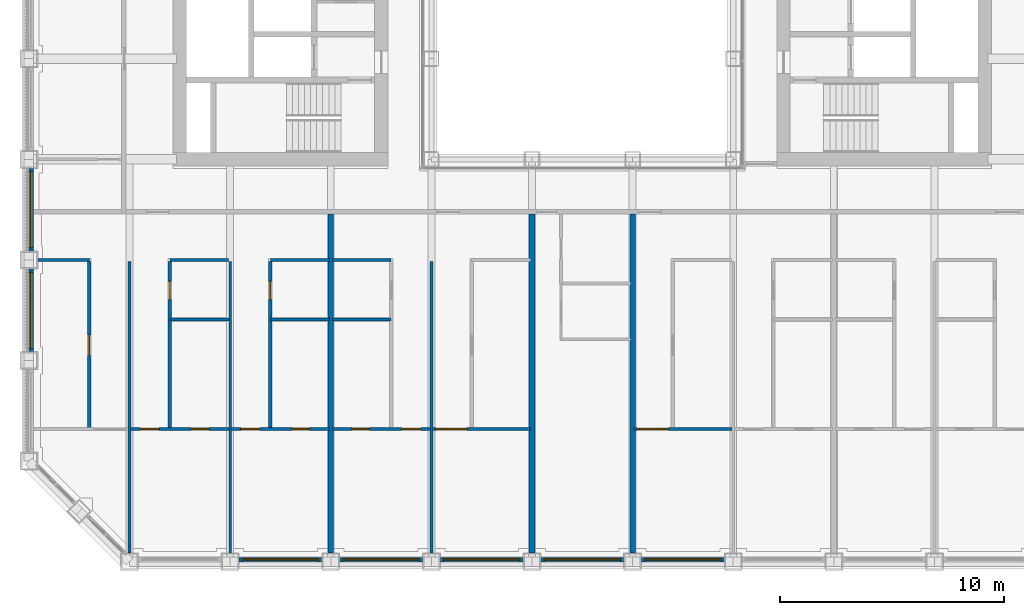
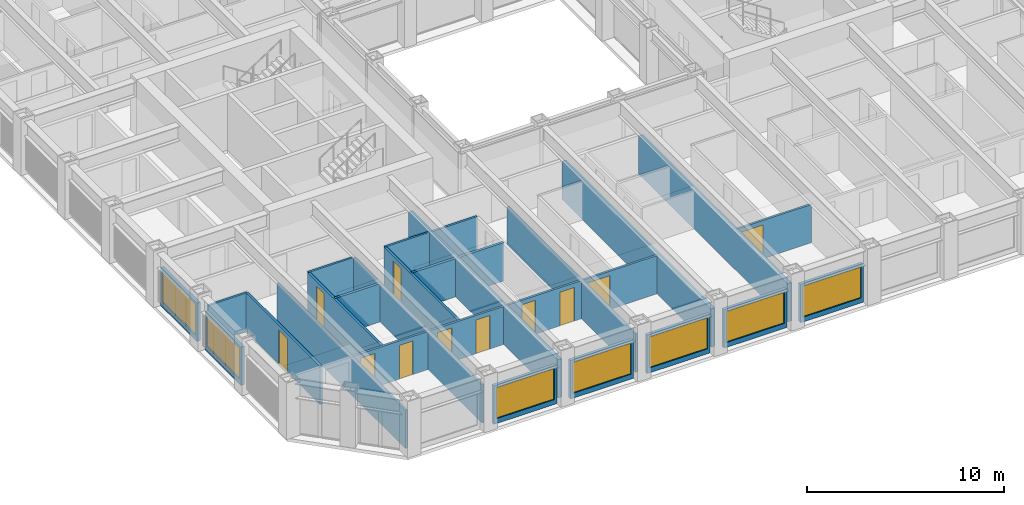
# One storey, part 9 of 21: 28 walls, 11 doors, 7 windows, 18 openings.
"""IFC4 building model written with IfcOpenShell, lengths in metres."""

from ifc_helpers import new_model, si_unit, direction, frame, frame_2d, origin, place, context, subcontext, project, spatial, rectangle, extrude, material, layer, layer_set, type_object, element, fill, save


model = new_model("IFC4")

# Units and contexts
model_context = context("Model", 3, precision=1e-05, world=origin(), true_north=direction((0.0, 1.0)))
body_context = subcontext(model_context, "Body", "Model", "MODEL_VIEW")
ifc_project = project(units=[si_unit("LENGTHUNIT", "METRE"), si_unit("AREAUNIT", "SQUARE_METRE"), si_unit("VOLUMEUNIT", "CUBIC_METRE"), si_unit("PLANEANGLEUNIT", "RADIAN"), si_unit("MASSUNIT", "GRAM", prefix="KILO")], contexts=[model_context])

# Site, building, storey
site_placement = place(None, origin())
site = spatial("IfcSite", under=ifc_project, at=site_placement, CompositionType="ELEMENT")
building_placement = place(site_placement, origin())
building = spatial("IfcBuilding", under=site, at=building_placement, Name="Msasa Ring Tower", CompositionType="ELEMENT")
storey_placement = place(building_placement, frame((0.0, 0.0, 75.5)))
storey = spatial("IfcBuildingStorey", under=building, at=storey_placement, Name="L19", CompositionType="ELEMENT", Elevation=75.5)

# Wall, opening, window
ifc_material_1 = material(Name="Terracotta rainscreen on blockwork", Category="masonry")
ifc_layer_1 = layer(ifc_material_1, 0.199951171875)
ifc_layer_set_1 = layer_set([ifc_layer_1], Name="FW1 TERRACOTTA-LINED INFILL BAY WALL 200")
wall_type_1 = type_object("IfcWallType", Name="FW1 TERRACOTTA-LINED INFILL BAY WALL 200", PredefinedType="SOLIDWALL", material=ifc_layer_set_1)
wall_1_placement = place(storey_placement, frame((-15.344970703125, -24.64990234375, 0.0), z_axis=(0.0, 0.0, 1.0), x_axis=(1.0, 0.0, 0.0)))
wall_1 = element("IfcWall", 1, at=wall_1_placement, inside=storey, type_object=wall_type_1, Name="Infill bay wall S L19 01", PredefinedType="SOLIDWALL", context=body_context, shape_type="SweptSolid", body=[
    extrude(rectangle(XDim=3.68994140625, YDim=0.199951171875, at=frame_2d((1.844970703125, 0.0))), origin(), (0.0, 0.0, 1.0), 2.37890625),
])
opening_1_placement = place(wall_1_placement, frame((0.14501953125, 0.0, 0.300048828125)))
opening_1 = element("IfcOpeningElement", 2, at=opening_1_placement, cuts=wall_1, Name="Opening WN1", PredefinedType="OPENING", context=body_context, shape_type="SweptSolid", body=[
    extrude(rectangle(XDim=3.39990234375, YDim=1.928955078125, at=frame_2d((1.699951171875, 0.96435546875))), frame((0.0, 0.10986328125, 0.0), z_axis=(0.0, -1.0, 0.0), x_axis=(1.0, 0.0, 0.0)), (0.0, 0.0, 1.0), 0.219970703125),
])
ifc_material_2 = material(Name="Aluminium frame with clear glass", Category="aluminium")
window_type = type_object("IfcWindowType", Name="WN1 RESIDENCE WINDOW 3400x1929", PartitioningType="SINGLE_PANEL", PredefinedType="WINDOW", material=ifc_material_2)
window_1_placement = place(opening_1_placement, origin())
window_1 = element("IfcWindow", 3, at=window_1_placement, inside=storey, type_object=window_type, Name="Window S L19 01", OverallHeight=1.928955078125, OverallWidth=3.39990234375, PartitioningType="SINGLE_PANEL", PredefinedType="WINDOW", context=body_context, shape_type="SweptSolid", body=[
    extrude(rectangle(XDim=3.39990234375, YDim=1.928955078125, at=frame_2d((1.699951171875, 0.96435546875))), frame((0.0, 0.030029296875, 0.0), z_axis=(0.0, -1.0, 0.0), x_axis=(1.0, 0.0, 0.0)), (0.0, 0.0, 1.0), 0.06005859375),
])
fill(opening_1, window_1)

wall_2_placement = place(storey_placement, frame((-10.844970703125, -24.64990234375, 0.0), z_axis=(0.0, 0.0, 1.0), x_axis=(1.0, 0.0, 0.0)))
wall_2 = element("IfcWall", 4, at=wall_2_placement, inside=storey, type_object=wall_type_1, Name="Infill bay wall S L19 02", PredefinedType="SOLIDWALL", context=body_context, shape_type="SweptSolid", body=[
    extrude(rectangle(XDim=3.68994140625, YDim=0.199951171875, at=frame_2d((1.844970703125, 0.0))), origin(), (0.0, 0.0, 1.0), 2.37890625),
])
opening_2_placement = place(wall_2_placement, frame((0.14501953125, 0.0, 0.300048828125)))
opening_2 = element("IfcOpeningElement", 5, at=opening_2_placement, cuts=wall_2, Name="Opening WN1", PredefinedType="OPENING", context=body_context, shape_type="SweptSolid", body=[
    extrude(rectangle(XDim=3.39990234375, YDim=1.928955078125, at=frame_2d((1.699951171875, 0.96435546875))), frame((0.0, 0.10986328125, 0.0), z_axis=(0.0, -1.0, 0.0), x_axis=(1.0, 0.0, 0.0)), (0.0, 0.0, 1.0), 0.219970703125),
])
window_2_placement = place(opening_2_placement, origin())
window_2 = element("IfcWindow", 6, at=window_2_placement, inside=storey, type_object=window_type, Name="Window S L19 02", OverallHeight=1.928955078125, OverallWidth=3.39990234375, PartitioningType="SINGLE_PANEL", PredefinedType="WINDOW", context=body_context, shape_type="SweptSolid", body=[
    extrude(rectangle(XDim=3.39990234375, YDim=1.928955078125, at=frame_2d((1.699951171875, 0.96435546875))), frame((0.0, 0.030029296875, 0.0), z_axis=(0.0, -1.0, 0.0), x_axis=(1.0, 0.0, 0.0)), (0.0, 0.0, 1.0), 0.06005859375),
])
fill(opening_2, window_2)

wall_3_placement = place(storey_placement, frame((-6.344970703125, -24.64990234375, 0.0), z_axis=(0.0, 0.0, 1.0), x_axis=(1.0, 0.0, 0.0)))
wall_3 = element("IfcWall", 7, at=wall_3_placement, inside=storey, type_object=wall_type_1, Name="Infill bay wall S L19 03", PredefinedType="SOLIDWALL", context=body_context, shape_type="SweptSolid", body=[
    extrude(rectangle(XDim=3.68994140625, YDim=0.199951171875, at=frame_2d((1.844970703125, 0.0))), origin(), (0.0, 0.0, 1.0), 2.37890625),
])
opening_3_placement = place(wall_3_placement, frame((0.14501953125, 0.0, 0.300048828125)))
opening_3 = element("IfcOpeningElement", 8, at=opening_3_placement, cuts=wall_3, Name="Opening WN1", PredefinedType="OPENING", context=body_context, shape_type="SweptSolid", body=[
    extrude(rectangle(XDim=3.39990234375, YDim=1.928955078125, at=frame_2d((1.699951171875, 0.96435546875))), frame((0.0, 0.10986328125, 0.0), z_axis=(0.0, -1.0, 0.0), x_axis=(1.0, 0.0, 0.0)), (0.0, 0.0, 1.0), 0.219970703125),
])
window_3_placement = place(opening_3_placement, origin())
window_3 = element("IfcWindow", 9, at=window_3_placement, inside=storey, type_object=window_type, Name="Window S L19 03", OverallHeight=1.928955078125, OverallWidth=3.39990234375, PartitioningType="SINGLE_PANEL", PredefinedType="WINDOW", context=body_context, shape_type="SweptSolid", body=[
    extrude(rectangle(XDim=3.39990234375, YDim=1.928955078125, at=frame_2d((1.699951171875, 0.96435546875))), frame((0.0, 0.030029296875, 0.0), z_axis=(0.0, -1.0, 0.0), x_axis=(1.0, 0.0, 0.0)), (0.0, 0.0, 1.0), 0.06005859375),
])
fill(opening_3, window_3)

wall_4_placement = place(storey_placement, frame((-1.844970703125, -24.64990234375, 0.0), z_axis=(0.0, 0.0, 1.0), x_axis=(1.0, 0.0, 0.0)))
wall_4 = element("IfcWall", 10, at=wall_4_placement, inside=storey, type_object=wall_type_1, Name="Infill bay wall S L19 04", PredefinedType="SOLIDWALL", context=body_context, shape_type="SweptSolid", body=[
    extrude(rectangle(XDim=3.68994140625, YDim=0.199951171875, at=frame_2d((1.844970703125, 0.0))), origin(), (0.0, 0.0, 1.0), 2.37890625),
])
opening_4_placement = place(wall_4_placement, frame((0.14501953125, 0.0, 0.300048828125)))
opening_4 = element("IfcOpeningElement", 11, at=opening_4_placement, cuts=wall_4, Name="Opening WN1", PredefinedType="OPENING", context=body_context, shape_type="SweptSolid", body=[
    extrude(rectangle(XDim=3.39990234375, YDim=1.928955078125, at=frame_2d((1.699951171875, 0.96435546875))), frame((0.0, 0.10986328125, 0.0), z_axis=(0.0, -1.0, 0.0), x_axis=(1.0, 0.0, 0.0)), (0.0, 0.0, 1.0), 0.219970703125),
])
window_4_placement = place(opening_4_placement, origin())
window_4 = element("IfcWindow", 12, at=window_4_placement, inside=storey, type_object=window_type, Name="Window S L19 04", OverallHeight=1.928955078125, OverallWidth=3.39990234375, PartitioningType="SINGLE_PANEL", PredefinedType="WINDOW", context=body_context, shape_type="SweptSolid", body=[
    extrude(rectangle(XDim=3.39990234375, YDim=1.928955078125, at=frame_2d((1.699951171875, 0.96435546875))), frame((0.0, 0.030029296875, 0.0), z_axis=(0.0, -1.0, 0.0), x_axis=(1.0, 0.0, 0.0)), (0.0, 0.0, 1.0), 0.06005859375),
])
fill(opening_4, window_4)

wall_5_placement = place(storey_placement, frame((2.655029296875, -24.64990234375, 0.0), z_axis=(0.0, 0.0, 1.0), x_axis=(1.0, 0.0, 0.0)))
wall_5 = element("IfcWall", 13, at=wall_5_placement, inside=storey, type_object=wall_type_1, Name="Infill bay wall S L19 05", PredefinedType="SOLIDWALL", context=body_context, shape_type="SweptSolid", body=[
    extrude(rectangle(XDim=3.68994140625, YDim=0.199951171875, at=frame_2d((1.844970703125, 0.0))), origin(), (0.0, 0.0, 1.0), 2.37890625),
])
opening_5_placement = place(wall_5_placement, frame((0.14501953125, 0.0, 0.300048828125)))
opening_5 = element("IfcOpeningElement", 14, at=opening_5_placement, cuts=wall_5, Name="Opening WN1", PredefinedType="OPENING", context=body_context, shape_type="SweptSolid", body=[
    extrude(rectangle(XDim=3.39990234375, YDim=1.928955078125, at=frame_2d((1.699951171875, 0.96435546875))), frame((0.0, 0.10986328125, 0.0), z_axis=(0.0, -1.0, 0.0), x_axis=(1.0, 0.0, 0.0)), (0.0, 0.0, 1.0), 0.219970703125),
])
window_5_placement = place(opening_5_placement, origin())
window_5 = element("IfcWindow", 15, at=window_5_placement, inside=storey, type_object=window_type, Name="Window S L19 05", OverallHeight=1.928955078125, OverallWidth=3.39990234375, PartitioningType="SINGLE_PANEL", PredefinedType="WINDOW", context=body_context, shape_type="SweptSolid", body=[
    extrude(rectangle(XDim=3.39990234375, YDim=1.928955078125, at=frame_2d((1.699951171875, 0.96435546875))), frame((0.0, 0.030029296875, 0.0), z_axis=(0.0, -1.0, 0.0), x_axis=(1.0, 0.0, 0.0)), (0.0, 0.0, 1.0), 0.06005859375),
])
fill(opening_5, window_5)

wall_6_placement = place(storey_placement, frame((-24.64990234375, -15.344970703125, 0.0), z_axis=(0.0, 0.0, 1.0), x_axis=(0.0, 1.0, 0.0)))
wall_6 = element("IfcWall", 16, at=wall_6_placement, inside=storey, type_object=wall_type_1, Name="Infill bay wall W L19 34", PredefinedType="SOLIDWALL", context=body_context, shape_type="SweptSolid", body=[
    extrude(rectangle(XDim=3.68994140625, YDim=0.199951171875, at=frame_2d((1.844970703125, 0.0))), origin(), (0.0, 0.0, 1.0), 2.37890625),
])
opening_6_placement = place(wall_6_placement, frame((0.14501953125, 0.0, 0.300048828125)))
opening_6 = element("IfcOpeningElement", 17, at=opening_6_placement, cuts=wall_6, Name="Opening WN1", PredefinedType="OPENING", context=body_context, shape_type="SweptSolid", body=[
    extrude(rectangle(XDim=3.39990234375, YDim=1.928955078125, at=frame_2d((1.699951171875, 0.96435546875))), frame((0.0, 0.10986328125, 0.0), z_axis=(0.0, -1.0, 0.0), x_axis=(1.0, 0.0, 0.0)), (0.0, 0.0, 1.0), 0.219970703125),
])
window_6_placement = place(opening_6_placement, origin())
window_6 = element("IfcWindow", 18, at=window_6_placement, inside=storey, type_object=window_type, Name="Window W L19 34", OverallHeight=1.928955078125, OverallWidth=3.39990234375, PartitioningType="SINGLE_PANEL", PredefinedType="WINDOW", context=body_context, shape_type="SweptSolid", body=[
    extrude(rectangle(XDim=3.39990234375, YDim=1.928955078125, at=frame_2d((1.699951171875, 0.96435546875))), frame((0.0, 0.030029296875, 0.0), z_axis=(0.0, -1.0, 0.0), x_axis=(1.0, 0.0, 0.0)), (0.0, 0.0, 1.0), 0.06005859375),
])
fill(opening_6, window_6)

wall_7_placement = place(storey_placement, frame((-24.64990234375, -10.844970703125, 0.0), z_axis=(0.0, 0.0, 1.0), x_axis=(0.0, 1.0, 0.0)))
wall_7 = element("IfcWall", 19, at=wall_7_placement, inside=storey, type_object=wall_type_1, Name="Infill bay wall W L19 35", PredefinedType="SOLIDWALL", context=body_context, shape_type="SweptSolid", body=[
    extrude(rectangle(XDim=3.68994140625, YDim=0.199951171875, at=frame_2d((1.844970703125, 0.0))), origin(), (0.0, 0.0, 1.0), 2.37890625),
])
opening_7_placement = place(wall_7_placement, frame((0.14501953125, 0.0, 0.300048828125)))
opening_7 = element("IfcOpeningElement", 20, at=opening_7_placement, cuts=wall_7, Name="Opening WN1", PredefinedType="OPENING", context=body_context, shape_type="SweptSolid", body=[
    extrude(rectangle(XDim=3.39990234375, YDim=1.928955078125, at=frame_2d((1.699951171875, 0.96435546875))), frame((0.0, 0.10986328125, 0.0), z_axis=(0.0, -1.0, 0.0), x_axis=(1.0, 0.0, 0.0)), (0.0, 0.0, 1.0), 0.219970703125),
])
window_7_placement = place(opening_7_placement, origin())
window_7 = element("IfcWindow", 21, at=window_7_placement, inside=storey, type_object=window_type, Name="Window W L19 35", OverallHeight=1.928955078125, OverallWidth=3.39990234375, PartitioningType="SINGLE_PANEL", PredefinedType="WINDOW", context=body_context, shape_type="SweptSolid", body=[
    extrude(rectangle(XDim=3.39990234375, YDim=1.928955078125, at=frame_2d((1.699951171875, 0.96435546875))), frame((0.0, 0.030029296875, 0.0), z_axis=(0.0, -1.0, 0.0), x_axis=(1.0, 0.0, 0.0)), (0.0, 0.0, 1.0), 0.06005859375),
])
fill(opening_7, window_7)

# Walls
ifc_material_3 = material(Name="Dense concrete blockwork, plastered both faces", Category="masonry")
ifc_layer_2 = layer(ifc_material_3, 0.25)
ifc_layer_set_2 = layer_set([ifc_layer_2], Name="PT3 APARTMENT SEPARATING WALL 250")
wall_type_2 = type_object("IfcWallType", Name="PT3 APARTMENT SEPARATING WALL 250", PredefinedType="PARTITIONING", material=ifc_layer_set_2)
for number, where, z_axis, x_axis, name in (
    (22, (-11.25, -24.35009765625, 0.0), (0.0, 0.0, 1.0), (0.0, 1.0, 0.0), "Party wall L19-PWS-11.25"),
    (23, (-2.25, -24.35009765625, 0.0), (0.0, 0.0, 1.0), (0.0, 1.0, 0.0), "Party wall L19-PWS-2.25"),
    (24, (2.25, -24.35009765625, 0.0), (0.0, 0.0, 1.0), (0.0, 1.0, 0.0), "Party wall L19-PWS+2.25"),
):
    element("IfcWall", number, at=place(storey_placement, frame(where, z_axis=z_axis, x_axis=x_axis)), inside=storey, type_object=wall_type_2, Name=name, PredefinedType="PARTITIONING", context=body_context, shape_type="SweptSolid", body=[
        extrude(rectangle(XDim=15.150146484375, YDim=0.25, at=frame_2d((7.5751953125, 0.0))), origin(), (0.0, 0.0, 1.0), 2.373291015625),
    ])

# Wall, opening, door
ifc_material_4 = material(Name="Moisture-resistant board on steel studs with a concealed cistern and pipe void, tiled", Category="steel")
ifc_layer_3 = layer(ifc_material_4, 0.14990234375)
ifc_layer_set_3 = layer_set([ifc_layer_3], Name="PT4 BATHROOM WET WALL 150")
wall_type_3 = type_object("IfcWallType", Name="PT4 BATHROOM WET WALL 150", PredefinedType="PARTITIONING", material=ifc_layer_set_3)
wall_8_placement = place(storey_placement, frame((-22.050048828125, -18.8125, 0.0), z_axis=(0.0, 0.0, 1.0), x_axis=(0.0, 1.0, 0.0)))
wall_8 = element("IfcWall", 25, at=wall_8_placement, inside=storey, type_object=wall_type_3, Name="Partition L19-US00SX0", PredefinedType="PARTITIONING", context=body_context, shape_type="SweptSolid", body=[
    extrude(rectangle(XDim=7.5, YDim=0.14990234375, at=frame_2d((3.75, 0.0))), origin(), (0.0, 0.0, 1.0), 2.373291015625),
])
opening_8_placement = place(wall_8_placement, frame((3.300048828125, 0.0, 0.0)))
opening_8 = element("IfcOpeningElement", 26, at=opening_8_placement, cuts=wall_8, Name="Opening RE-069", PredefinedType="OPENING", context=body_context, shape_type="SweptSolid", body=[
    extrude(rectangle(XDim=0.89990234375, YDim=2.10009765625, at=frame_2d((0.449951171875, 1.050048828125))), frame((0.0, 0.0849609375, 0.0), z_axis=(0.0, -1.0, 0.0), x_axis=(1.0, 0.0, 0.0)), (0.0, 0.0, 1.0), 0.169921875),
])
ifc_material_5 = material(Name="Timber door leaf in a steel frame", Category="steel")
door_type_1 = type_object("IfcDoorType", Name="D22 INTERNAL HALL DOOR 900x2100", OperationType="SINGLE_SWING_LEFT", PredefinedType="DOOR", material=ifc_material_5)
door_1_placement = place(opening_8_placement, origin())
door_1 = element("IfcDoor", 27, at=door_1_placement, inside=storey, type_object=door_type_1, Name="Door L19-US00K", OperationType="SINGLE_SWING_LEFT", OverallHeight=2.10009765625, OverallWidth=0.89990234375, PredefinedType="DOOR", context=body_context, shape_type="SweptSolid", body=[
    extrude(rectangle(XDim=0.89990234375, YDim=2.10009765625, at=frame_2d((0.449951171875, 1.050048828125))), frame((0.0, 0.02490234375, 0.0), z_axis=(0.0, -1.0, 0.0), x_axis=(1.0, 0.0, 0.0)), (0.0, 0.0, 1.0), 0.050048828125),
])
fill(opening_8, door_1)

wall_9_placement = place(storey_placement, frame((-18.449951171875, -18.8125, 0.0), z_axis=(0.0, 0.0, 1.0), x_axis=(0.0, 1.0, 0.0)))
wall_9 = element("IfcWall", 28, at=wall_9_placement, inside=storey, type_object=wall_type_3, Name="Partition L19-US00SX1", PredefinedType="PARTITIONING", context=body_context, shape_type="SweptSolid", body=[
    extrude(rectangle(XDim=7.5, YDim=0.14990234375, at=frame_2d((3.75, 0.0))), origin(), (0.0, 0.0, 1.0), 2.373291015625),
])
opening_9_placement = place(wall_9_placement, frame((5.800048828125, 0.0, 0.0)))
opening_9 = element("IfcOpeningElement", 29, at=opening_9_placement, cuts=wall_9, Name="Opening RE-062", PredefinedType="OPENING", context=body_context, shape_type="SweptSolid", body=[
    extrude(rectangle(XDim=0.800048828125, YDim=2.10009765625, at=frame_2d((0.39990234375, 1.050048828125))), frame((0.0, 0.0849609375, 0.0), z_axis=(0.0, -1.0, 0.0), x_axis=(1.0, 0.0, 0.0)), (0.0, 0.0, 1.0), 0.169921875),
])
ifc_material_6 = material(Name="Timber door leaf in a steel frame", Category="steel")
door_type_2 = type_object("IfcDoorType", Name="D21 POCKET SLIDING BATHROOM DOOR 800x2100", OperationType="SINGLE_SWING_LEFT", PredefinedType="DOOR", material=ifc_material_6)
door_2_placement = place(opening_9_placement, origin())
door_2 = element("IfcDoor", 30, at=door_2_placement, inside=storey, type_object=door_type_2, Name="Door L19-US00B1", OperationType="SINGLE_SWING_RIGHT", OverallHeight=2.10009765625, OverallWidth=0.800048828125, PredefinedType="DOOR", context=body_context, shape_type="SweptSolid", body=[
    extrude(rectangle(XDim=0.800048828125, YDim=2.10009765625, at=frame_2d((0.39990234375, 1.050048828125))), frame((0.0, 0.02490234375, 0.0), z_axis=(0.0, -1.0, 0.0), x_axis=(1.0, 0.0, 0.0)), (0.0, 0.0, 1.0), 0.050048828125),
])
fill(opening_9, door_2)

# Wall
wall_10_placement = place(storey_placement, frame((-18.449951171875, -13.91259765625, 0.0), z_axis=(0.0, 0.0, 1.0), x_axis=(1.0, 0.0, 0.0)))
element("IfcWall", 31, at=wall_10_placement, inside=storey, type_object=wall_type_3, Name="Partition L19-US00SB1", PredefinedType="PARTITIONING", context=body_context, shape_type="SweptSolid", body=[
    extrude(rectangle(XDim=2.637451171875, YDim=0.14990234375, at=frame_2d((1.31884765625, 0.0))), origin(), (0.0, 0.0, 1.0), 2.373291015625),
])

# Wall, opening, door
wall_11_placement = place(storey_placement, frame((-13.949951171875, -18.8125, 0.0), z_axis=(0.0, 0.0, 1.0), x_axis=(0.0, 1.0, 0.0)))
wall_11 = element("IfcWall", 32, at=wall_11_placement, inside=storey, type_object=wall_type_3, Name="Partition L19-US00SX2", PredefinedType="PARTITIONING", context=body_context, shape_type="SweptSolid", body=[
    extrude(rectangle(XDim=7.5, YDim=0.14990234375, at=frame_2d((3.75, 0.0))), origin(), (0.0, 0.0, 1.0), 2.373291015625),
])
opening_10_placement = place(wall_11_placement, frame((5.800048828125, 0.0, 0.0)))
opening_10 = element("IfcOpeningElement", 33, at=opening_10_placement, cuts=wall_11, Name="Opening RE-063", PredefinedType="OPENING", context=body_context, shape_type="SweptSolid", body=[
    extrude(rectangle(XDim=0.800048828125, YDim=2.10009765625, at=frame_2d((0.39990234375, 1.050048828125))), frame((0.0, 0.0849609375, 0.0), z_axis=(0.0, -1.0, 0.0), x_axis=(1.0, 0.0, 0.0)), (0.0, 0.0, 1.0), 0.169921875),
])
door_3_placement = place(opening_10_placement, origin())
door_3 = element("IfcDoor", 34, at=door_3_placement, inside=storey, type_object=door_type_2, Name="Door L19-US00B2", OperationType="SINGLE_SWING_RIGHT", OverallHeight=2.10009765625, OverallWidth=0.800048828125, PredefinedType="DOOR", context=body_context, shape_type="SweptSolid", body=[
    extrude(rectangle(XDim=0.800048828125, YDim=2.10009765625, at=frame_2d((0.39990234375, 1.050048828125))), frame((0.0, 0.02490234375, 0.0), z_axis=(0.0, -1.0, 0.0), x_axis=(1.0, 0.0, 0.0)), (0.0, 0.0, 1.0), 0.050048828125),
])
fill(opening_10, door_3)

# Walls
for number, where, z_axis, x_axis, name in (
    (35, (-13.949951171875, -13.91259765625, 0.0), (0.0, 0.0, 1.0), (1.0, 0.0, 0.0), "Partition L19-US00SB2"),
    (36, (-11.1826171875, -13.91259765625, 0.0), (0.0, 0.0, 1.0), (1.0, 0.0, 0.0), "Partition L19-US01SB1"),
):
    element("IfcWall", number, at=place(storey_placement, frame(where, z_axis=z_axis, x_axis=x_axis)), inside=storey, type_object=wall_type_3, Name=name, PredefinedType="PARTITIONING", context=body_context, shape_type="SweptSolid", body=[
        extrude(rectangle(XDim=2.632568359375, YDim=0.14990234375, at=frame_2d((1.31640625, 0.0))), origin(), (0.0, 0.0, 1.0), 2.373291015625),
    ])
ifc_material_7 = material(Name="Two layers of acoustic board each face on steel studs, mineral wool", Category="steel")
ifc_layer_4 = layer(ifc_material_7, 0.125)
ifc_layer_set_4 = layer_set([ifc_layer_4], Name="PT6 ACOUSTIC DOUBLE-BOARD PARTITION 125")
wall_type_4 = type_object("IfcWallType", Name="PT6 ACOUSTIC DOUBLE-BOARD PARTITION 125", PredefinedType="PARTITIONING", material=ifc_layer_set_4)
wall_12_placement = place(storey_placement, frame((-24.35009765625, -11.25, 0.0), z_axis=(0.0, 0.0, 1.0), x_axis=(1.0, 0.0, 0.0)))
element("IfcWall", 37, at=wall_12_placement, inside=storey, type_object=wall_type_4, Name="Partition L19-US00HY0", PredefinedType="PARTITIONING", context=body_context, shape_type="SweptSolid", body=[
    extrude(rectangle(XDim=2.300048828125, YDim=0.125, at=frame_2d((1.14990234375, 0.0))), origin(), (0.0, 0.0, 1.0), 2.373291015625),
])
wall_13_placement = place(storey_placement, frame((-20.25, -24.35009765625, 0.0), z_axis=(0.0, 0.0, 1.0), x_axis=(0.0, 1.0, 0.0)))
element("IfcWall", 38, at=wall_13_placement, inside=storey, type_object=wall_type_4, Name="Partition L19-US00P1", PredefinedType="PARTITIONING", context=body_context, shape_type="SweptSolid", body=[
    extrude(rectangle(XDim=13.03759765625, YDim=0.125, at=frame_2d((6.518798828125, 0.0))), origin(), (0.0, 0.0, 1.0), 2.373291015625),
])
wall_14_placement = place(storey_placement, frame((-18.449951171875, -11.25, 0.0), z_axis=(0.0, 0.0, 1.0), x_axis=(1.0, 0.0, 0.0)))
element("IfcWall", 39, at=wall_14_placement, inside=storey, type_object=wall_type_4, Name="Partition L19-US00HY1", PredefinedType="PARTITIONING", context=body_context, shape_type="SweptSolid", body=[
    extrude(rectangle(XDim=2.632568359375, YDim=0.125, at=frame_2d((1.31640625, 0.0))), origin(), (0.0, 0.0, 1.0), 2.373291015625),
])

# Wall, openings, doors
wall_15_placement = place(storey_placement, frame((-20.1875, -18.8125, 0.0), z_axis=(0.0, 0.0, 1.0), x_axis=(1.0, 0.0, 0.0)))
wall_15 = element("IfcWall", 40, at=wall_15_placement, inside=storey, type_object=wall_type_4, Name="Partition L19-US00SY1", PredefinedType="PARTITIONING", context=body_context, shape_type="SweptSolid", body=[
    extrude(rectangle(XDim=4.375, YDim=0.125, at=frame_2d((2.1875, 0.0))), origin(), (0.0, 0.0, 1.0), 2.373291015625),
])
opening_11_placement = place(wall_15_placement, frame((0.41259765625, 0.0, 0.0)))
opening_11 = element("IfcOpeningElement", 41, at=opening_11_placement, cuts=wall_15, Name="Opening RE-074", PredefinedType="OPENING", context=body_context, shape_type="SweptSolid", body=[
    extrude(rectangle(XDim=0.85009765625, YDim=2.10009765625, at=frame_2d((0.425048828125, 1.050048828125))), frame((0.0, 0.072509765625, 0.0), z_axis=(0.0, -1.0, 0.0), x_axis=(1.0, 0.0, 0.0)), (0.0, 0.0, 1.0), 0.14501953125),
])
opening_12_placement = place(wall_15_placement, frame((2.693603515625, 0.0, 0.0)))
opening_12 = element("IfcOpeningElement", 42, at=opening_12_placement, cuts=wall_15, Name="Opening RE-075", PredefinedType="OPENING", context=body_context, shape_type="SweptSolid", body=[
    extrude(rectangle(XDim=0.800048828125, YDim=2.10009765625, at=frame_2d((0.39990234375, 1.050048828125))), frame((0.0, 0.072509765625, 0.0), z_axis=(0.0, -1.0, 0.0), x_axis=(1.0, 0.0, 0.0)), (0.0, 0.0, 1.0), 0.14501953125),
])
ifc_material_8 = material(Name="Timber door leaf in a steel frame", Category="steel")
door_type_3 = type_object("IfcDoorType", Name="D14 BEDROOM DOOR 850x2100", OperationType="SINGLE_SWING_LEFT", PredefinedType="DOOR", material=ifc_material_8)
door_4_placement = place(opening_11_placement, origin())
door_4 = element("IfcDoor", 43, at=door_4_placement, inside=storey, type_object=door_type_3, Name="Door L19-US00R1", OperationType="SINGLE_SWING_LEFT", OverallHeight=2.10009765625, OverallWidth=0.85009765625, PredefinedType="DOOR", context=body_context, shape_type="SweptSolid", body=[
    extrude(rectangle(XDim=0.85009765625, YDim=2.10009765625, at=frame_2d((0.425048828125, 1.050048828125))), frame((0.0, 0.02490234375, 0.0), z_axis=(0.0, -1.0, 0.0), x_axis=(1.0, 0.0, 0.0)), (0.0, 0.0, 1.0), 0.050048828125),
])
fill(opening_11, door_4)
ifc_material_9 = material(Name="Timber door leaf in a steel frame", Category="steel")
door_type_4 = type_object("IfcDoorType", Name="D60 DRESSING ROOM DOOR 800x2100", OperationType="SINGLE_SWING_LEFT", PredefinedType="DOOR", material=ifc_material_9)
door_5_placement = place(opening_12_placement, origin())
door_5 = element("IfcDoor", 44, at=door_5_placement, inside=storey, type_object=door_type_4, Name="Door L19-US00W1", OperationType="SINGLE_SWING_RIGHT", OverallHeight=2.10009765625, OverallWidth=0.800048828125, PredefinedType="DOOR", context=body_context, shape_type="SweptSolid", body=[
    extrude(rectangle(XDim=0.800048828125, YDim=2.10009765625, at=frame_2d((0.39990234375, 1.050048828125))), frame((0.0, 0.02490234375, 0.0), z_axis=(0.0, -1.0, 0.0), x_axis=(1.0, 0.0, 0.0)), (0.0, 0.0, 1.0), 0.050048828125),
])
fill(opening_12, door_5)

# Walls
wall_16_placement = place(storey_placement, frame((-15.75, -24.35009765625, 0.0), z_axis=(0.0, 0.0, 1.0), x_axis=(0.0, 1.0, 0.0)))
element("IfcWall", 45, at=wall_16_placement, inside=storey, type_object=wall_type_4, Name="Partition L19-US00P2", PredefinedType="PARTITIONING", context=body_context, shape_type="SweptSolid", body=[
    extrude(rectangle(XDim=13.03759765625, YDim=0.125, at=frame_2d((6.518798828125, 0.0))), origin(), (0.0, 0.0, 1.0), 2.373291015625),
])
wall_17_placement = place(storey_placement, frame((-13.949951171875, -11.25, 0.0), z_axis=(0.0, 0.0, 1.0), x_axis=(1.0, 0.0, 0.0)))
element("IfcWall", 46, at=wall_17_placement, inside=storey, type_object=wall_type_4, Name="Partition L19-US00HY2", PredefinedType="PARTITIONING", context=body_context, shape_type="SweptSolid", body=[
    extrude(rectangle(XDim=2.632568359375, YDim=0.125, at=frame_2d((1.31640625, 0.0))), origin(), (0.0, 0.0, 1.0), 2.373291015625),
])

# Wall, openings, doors
wall_18_placement = place(storey_placement, frame((-15.6875, -18.8125, 0.0), z_axis=(0.0, 0.0, 1.0), x_axis=(1.0, 0.0, 0.0)))
wall_18 = element("IfcWall", 47, at=wall_18_placement, inside=storey, type_object=wall_type_4, Name="Partition L19-US00SY2", PredefinedType="PARTITIONING", context=body_context, shape_type="SweptSolid", body=[
    extrude(rectangle(XDim=4.3701171875, YDim=0.125, at=frame_2d((2.18505859375, 0.0))), origin(), (0.0, 0.0, 1.0), 2.373291015625),
])
opening_13_placement = place(wall_18_placement, frame((0.41259765625, 0.0, 0.0)))
opening_13 = element("IfcOpeningElement", 48, at=opening_13_placement, cuts=wall_18, Name="Opening RE-076", PredefinedType="OPENING", context=body_context, shape_type="SweptSolid", body=[
    extrude(rectangle(XDim=0.85009765625, YDim=2.10009765625, at=frame_2d((0.425048828125, 1.050048828125))), frame((0.0, 0.072509765625, 0.0), z_axis=(0.0, -1.0, 0.0), x_axis=(1.0, 0.0, 0.0)), (0.0, 0.0, 1.0), 0.14501953125),
])
opening_14_placement = place(wall_18_placement, frame((2.693603515625, 0.0, 0.0)))
opening_14 = element("IfcOpeningElement", 49, at=opening_14_placement, cuts=wall_18, Name="Opening RE-077", PredefinedType="OPENING", context=body_context, shape_type="SweptSolid", body=[
    extrude(rectangle(XDim=0.800048828125, YDim=2.10009765625, at=frame_2d((0.39990234375, 1.050048828125))), frame((0.0, 0.072509765625, 0.0), z_axis=(0.0, -1.0, 0.0), x_axis=(1.0, 0.0, 0.0)), (0.0, 0.0, 1.0), 0.14501953125),
])
door_6_placement = place(opening_13_placement, origin())
door_6 = element("IfcDoor", 50, at=door_6_placement, inside=storey, type_object=door_type_3, Name="Door L19-US00R2", OperationType="SINGLE_SWING_LEFT", OverallHeight=2.10009765625, OverallWidth=0.85009765625, PredefinedType="DOOR", context=body_context, shape_type="SweptSolid", body=[
    extrude(rectangle(XDim=0.85009765625, YDim=2.10009765625, at=frame_2d((0.425048828125, 1.050048828125))), frame((0.0, 0.02490234375, 0.0), z_axis=(0.0, -1.0, 0.0), x_axis=(1.0, 0.0, 0.0)), (0.0, 0.0, 1.0), 0.050048828125),
])
fill(opening_13, door_6)
door_7_placement = place(opening_14_placement, origin())
door_7 = element("IfcDoor", 51, at=door_7_placement, inside=storey, type_object=door_type_4, Name="Door L19-US00W2", OperationType="SINGLE_SWING_RIGHT", OverallHeight=2.10009765625, OverallWidth=0.800048828125, PredefinedType="DOOR", context=body_context, shape_type="SweptSolid", body=[
    extrude(rectangle(XDim=0.800048828125, YDim=2.10009765625, at=frame_2d((0.39990234375, 1.050048828125))), frame((0.0, 0.02490234375, 0.0), z_axis=(0.0, -1.0, 0.0), x_axis=(1.0, 0.0, 0.0)), (0.0, 0.0, 1.0), 0.050048828125),
])
fill(opening_14, door_7)

# Wall, opening, door
wall_19_placement = place(storey_placement, frame((-6.6875, -18.8125, 0.0), z_axis=(0.0, 0.0, 1.0), x_axis=(1.0, 0.0, 0.0)))
wall_19 = element("IfcWall", 52, at=wall_19_placement, inside=storey, type_object=wall_type_4, Name="Partition L19-US01SY0", PredefinedType="PARTITIONING", context=body_context, shape_type="SweptSolid", body=[
    extrude(rectangle(XDim=4.3701171875, YDim=0.125, at=frame_2d((2.18505859375, 0.0))), origin(), (0.0, 0.0, 1.0), 2.373291015625),
])
opening_15_placement = place(wall_19_placement, frame((0.137451171875, 0.0, 0.0)))
opening_15 = element("IfcOpeningElement", 53, at=opening_15_placement, cuts=wall_19, Name="Opening RE-080", PredefinedType="OPENING", context=body_context, shape_type="SweptSolid", body=[
    extrude(rectangle(XDim=1.39990234375, YDim=2.10009765625, at=frame_2d((0.699951171875, 1.050048828125))), frame((0.0, 0.072509765625, 0.0), z_axis=(0.0, -1.0, 0.0), x_axis=(1.0, 0.0, 0.0)), (0.0, 0.0, 1.0), 0.14501953125),
])
ifc_material_10 = material(Name="Timber door leaf in a steel frame", Category="steel")
door_type_5 = type_object("IfcDoorType", Name="D15 LIVING ROOM PAIR OF GLAZED DOORS 1400x2100", OperationType="SINGLE_SWING_LEFT", PredefinedType="DOOR", material=ifc_material_10)
door_8_placement = place(opening_15_placement, origin())
door_8 = element("IfcDoor", 54, at=door_8_placement, inside=storey, type_object=door_type_5, Name="Door L19-US01L", OperationType="SINGLE_SWING_LEFT", OverallHeight=2.10009765625, OverallWidth=1.39990234375, PredefinedType="DOOR", context=body_context, shape_type="SweptSolid", body=[
    extrude(rectangle(XDim=1.39990234375, YDim=2.10009765625, at=frame_2d((0.699951171875, 1.050048828125))), frame((0.0, 0.02490234375, 0.0), z_axis=(0.0, -1.0, 0.0), x_axis=(1.0, 0.0, 0.0)), (0.0, 0.0, 1.0), 0.050048828125),
])
fill(opening_15, door_8)

# Walls
wall_20_placement = place(storey_placement, frame((-6.75, -24.35009765625, 0.0), z_axis=(0.0, 0.0, 1.0), x_axis=(0.0, 1.0, 0.0)))
element("IfcWall", 55, at=wall_20_placement, inside=storey, type_object=wall_type_4, Name="Partition L19-US01P1", PredefinedType="PARTITIONING", context=body_context, shape_type="SweptSolid", body=[
    extrude(rectangle(XDim=13.03759765625, YDim=0.125, at=frame_2d((6.518798828125, 0.0))), origin(), (0.0, 0.0, 1.0), 2.373291015625),
])
wall_21_placement = place(storey_placement, frame((-11.1826171875, -11.25, 0.0), z_axis=(0.0, 0.0, 1.0), x_axis=(1.0, 0.0, 0.0)))
element("IfcWall", 56, at=wall_21_placement, inside=storey, type_object=wall_type_4, Name="Partition L19-US01HY1", PredefinedType="PARTITIONING", context=body_context, shape_type="SweptSolid", body=[
    extrude(rectangle(XDim=2.632568359375, YDim=0.125, at=frame_2d((1.31640625, 0.0))), origin(), (0.0, 0.0, 1.0), 2.373291015625),
])

# Wall, openings, doors
wall_22_placement = place(storey_placement, frame((-11.1826171875, -18.8125, 0.0), z_axis=(0.0, 0.0, 1.0), x_axis=(1.0, 0.0, 0.0)))
wall_22 = element("IfcWall", 57, at=wall_22_placement, inside=storey, type_object=wall_type_4, Name="Partition L19-US01SY1", PredefinedType="PARTITIONING", context=body_context, shape_type="SweptSolid", body=[
    extrude(rectangle(XDim=4.3701171875, YDim=0.125, at=frame_2d((2.18505859375, 0.0))), origin(), (0.0, 0.0, 1.0), 2.373291015625),
])
opening_16_placement = place(wall_22_placement, frame((3.107421875, 0.0, 0.0)))
opening_16 = element("IfcOpeningElement", 58, at=opening_16_placement, cuts=wall_22, Name="Opening RE-079", PredefinedType="OPENING", context=body_context, shape_type="SweptSolid", body=[
    extrude(rectangle(XDim=0.85009765625, YDim=2.10009765625, at=frame_2d((0.425048828125, 1.050048828125))), frame((0.0, 0.072509765625, 0.0), z_axis=(0.0, -1.0, 0.0), x_axis=(1.0, 0.0, 0.0)), (0.0, 0.0, 1.0), 0.14501953125),
])
opening_17_placement = place(wall_22_placement, frame((0.876220703125, 0.0, 0.0)))
opening_17 = element("IfcOpeningElement", 59, at=opening_17_placement, cuts=wall_22, Name="Opening RE-078", PredefinedType="OPENING", context=body_context, shape_type="SweptSolid", body=[
    extrude(rectangle(XDim=0.800048828125, YDim=2.10009765625, at=frame_2d((0.39990234375, 1.050048828125))), frame((0.0, 0.072509765625, 0.0), z_axis=(0.0, -1.0, 0.0), x_axis=(1.0, 0.0, 0.0)), (0.0, 0.0, 1.0), 0.14501953125),
])
door_9_placement = place(opening_16_placement, origin())
door_9 = element("IfcDoor", 60, at=door_9_placement, inside=storey, type_object=door_type_3, Name="Door L19-US01R1", OperationType="SINGLE_SWING_RIGHT", OverallHeight=2.10009765625, OverallWidth=0.85009765625, PredefinedType="DOOR", context=body_context, shape_type="SweptSolid", body=[
    extrude(rectangle(XDim=0.85009765625, YDim=2.10009765625, at=frame_2d((0.425048828125, 1.050048828125))), frame((0.0, 0.02490234375, 0.0), z_axis=(0.0, -1.0, 0.0), x_axis=(1.0, 0.0, 0.0)), (0.0, 0.0, 1.0), 0.050048828125),
])
fill(opening_16, door_9)
door_10_placement = place(opening_17_placement, origin())
door_10 = element("IfcDoor", 61, at=door_10_placement, inside=storey, type_object=door_type_4, Name="Door L19-US01W1", OperationType="SINGLE_SWING_LEFT", OverallHeight=2.10009765625, OverallWidth=0.800048828125, PredefinedType="DOOR", context=body_context, shape_type="SweptSolid", body=[
    extrude(rectangle(XDim=0.800048828125, YDim=2.10009765625, at=frame_2d((0.39990234375, 1.050048828125))), frame((0.0, 0.02490234375, 0.0), z_axis=(0.0, -1.0, 0.0), x_axis=(1.0, 0.0, 0.0)), (0.0, 0.0, 1.0), 0.050048828125),
])
fill(opening_17, door_10)

# Wall, opening, door
wall_23_placement = place(storey_placement, frame((2.3173828125, -18.8125, 0.0), z_axis=(0.0, 0.0, 1.0), x_axis=(1.0, 0.0, 0.0)))
wall_23 = element("IfcWall", 62, at=wall_23_placement, inside=storey, type_object=wall_type_4, Name="Partition L19-US03SY0", PredefinedType="PARTITIONING", context=body_context, shape_type="SweptSolid", body=[
    extrude(rectangle(XDim=4.3701171875, YDim=0.125, at=frame_2d((2.18505859375, 0.0))), origin(), (0.0, 0.0, 1.0), 2.373291015625),
])
opening_18_placement = place(wall_23_placement, frame((0.132568359375, 0.0, 0.0)))
opening_18 = element("IfcOpeningElement", 63, at=opening_18_placement, cuts=wall_23, Name="Opening RE-081", PredefinedType="OPENING", context=body_context, shape_type="SweptSolid", body=[
    extrude(rectangle(XDim=1.39990234375, YDim=2.10009765625, at=frame_2d((0.699951171875, 1.050048828125))), frame((0.0, 0.072509765625, 0.0), z_axis=(0.0, -1.0, 0.0), x_axis=(1.0, 0.0, 0.0)), (0.0, 0.0, 1.0), 0.14501953125),
])
door_11_placement = place(opening_18_placement, origin())
door_11 = element("IfcDoor", 64, at=door_11_placement, inside=storey, type_object=door_type_5, Name="Door L19-US03L", OperationType="SINGLE_SWING_LEFT", OverallHeight=2.10009765625, OverallWidth=1.39990234375, PredefinedType="DOOR", context=body_context, shape_type="SweptSolid", body=[
    extrude(rectangle(XDim=1.39990234375, YDim=2.10009765625, at=frame_2d((0.699951171875, 1.050048828125))), frame((0.0, 0.02490234375, 0.0), z_axis=(0.0, -1.0, 0.0), x_axis=(1.0, 0.0, 0.0)), (0.0, 0.0, 1.0), 0.050048828125),
])
fill(opening_18, door_11)

save(model, "model.ifc")
